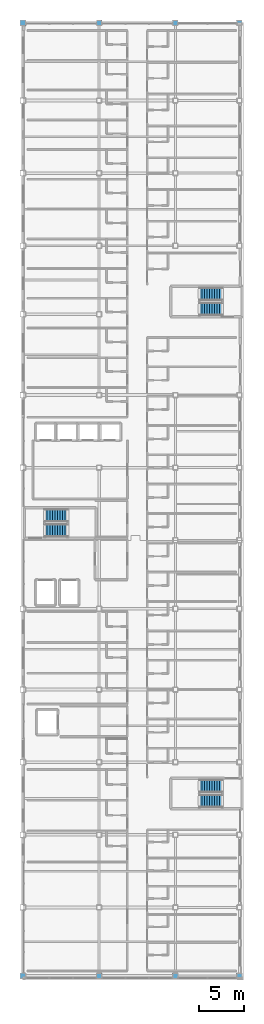
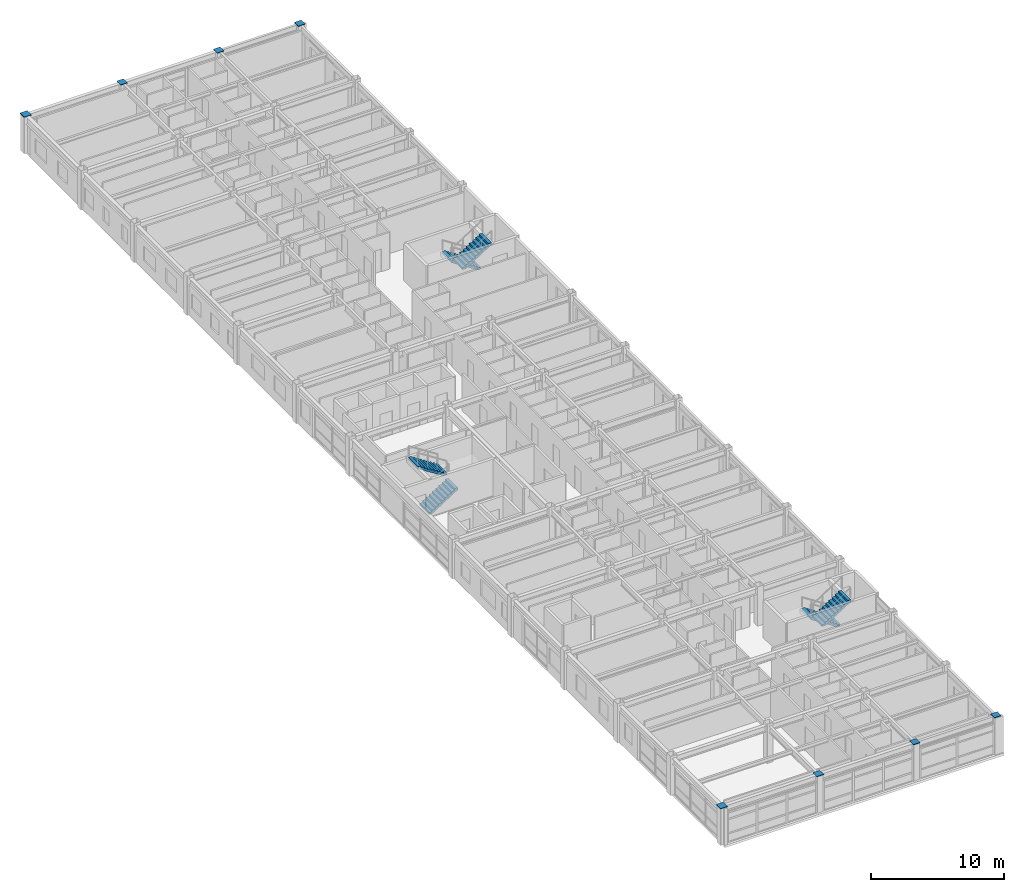
# One storey, part 34 of 36: 8 discrete accessories, 6 stair flights, 3 elements without a shape of their own.
"""IFC4 building model written with IfcOpenShell, lengths in metres."""

from ifc_helpers import new_model, si_unit, direction, frame, origin, origin_2d, place, context, subcontext, project, spatial, polyline, rectangle, outline, extrude, material, layer, layer_set, type_object, element, aggregate, save


model = new_model("IFC4")

# Units and contexts
model_context = context("Model", 3, precision=1e-05, world=origin(), true_north=direction((0.0, 1.0)))
body_context = subcontext(model_context, "Body", "Model", "MODEL_VIEW")
ifc_project = project(units=[si_unit("LENGTHUNIT", "METRE"), si_unit("AREAUNIT", "SQUARE_METRE"), si_unit("VOLUMEUNIT", "CUBIC_METRE"), si_unit("PLANEANGLEUNIT", "RADIAN"), si_unit("MASSUNIT", "GRAM", prefix="KILO")], contexts=[model_context])

# Site, building, storey
site_placement = place(None, origin())
site = spatial("IfcSite", under=ifc_project, at=site_placement, CompositionType="ELEMENT")
building_placement = place(site_placement, origin())
building = spatial("IfcBuilding", under=site, at=building_placement, Name="Kazehara Bluff Congress Hotel", CompositionType="ELEMENT")
storey_placement = place(building_placement, frame((0.0, 0.0, 28.199951171875)))
storey = spatial("IfcBuildingStorey", under=building, at=storey_placement, Name="L06", CompositionType="ELEMENT", Elevation=28.199951171875)

# Stair, stair flights
ifc_material_1 = material(Name="Concrete C36/45", Category="concrete")
stair_type = type_object("IfcStairType", Name="TP-ST-T03", PredefinedType="HALF_TURN_STAIR", material=ifc_material_1)
stair_1_placement = place(storey_placement, origin())
stair_1 = element("IfcStair", 1, at=stair_1_placement, inside=storey, type_object=stair_type, Name="L06 Escape stair ST-10", PredefinedType="HALF_TURN_STAIR")
ifc_material_2 = material(Name="Concrete C36/45", Category="concrete")
stair_flight_type = type_object("IfcStairFlightType", Name="TP-SF-T03", PredefinedType="STRAIGHT", material=ifc_material_2)
stair_flight_1_placement = place(storey_placement, frame((165.64990234375, 21.375, 0.0), z_axis=(0.0, 0.0, 1.0), x_axis=(-1.0, 0.0, 0.0)))
stair_flight_1 = element("IfcStairFlight", 2, at=stair_flight_1_placement, type_object=stair_flight_type, Name="ST-10 flight 1", NumberOfRisers=10, NumberOfTreads=9, PredefinedType="STRAIGHT", RiserHeight=0.18, TreadLength=0.28, context=body_context, shape_type="SweptSolid", body=[
    extrude(outline(polyline([(0.0, 0.0), (0.0, 0.179931640625), (0.280029296875, 0.179931640625), (0.280029296875, 0.360107421875), (0.56005859375, 0.360107421875), (0.56005859375, 0.5400390625), (0.840087890625, 0.5400390625), (0.840087890625, 0.719970703125), (1.1201171875, 0.719970703125), (1.1201171875, 0.89990234375), (1.39990234375, 0.89990234375), (1.39990234375, 1.080078125), (1.679931640625, 1.080078125), (1.679931640625, 1.260009765625), (1.9599609375, 1.260009765625), (1.9599609375, 1.43994140625), (2.239990234375, 1.43994140625), (2.239990234375, 1.6201171875), (2.52001953125, 1.6201171875), (2.52001953125, 1.800048828125), (2.52001953125, 1.429931640625), (0.295654296875, 0.0), (0.0, 0.0)])), frame((0.0, 0.72509765625, 0.0), z_axis=(0.0, -1.0, 0.0), x_axis=(1.0, 0.0, 0.0)), (0.0, 0.0, 1.0), 1.449951171875),
])
stair_flight_2_placement = place(storey_placement, frame((163.1298828125, 19.72509765625, 1.800048828125), z_axis=(0.0, 0.0, 1.0), x_axis=(1.0, 0.0, 0.0)))
stair_flight_2 = element("IfcStairFlight", 3, at=stair_flight_2_placement, type_object=stair_flight_type, Name="ST-10 flight 2", NumberOfRisers=10, NumberOfTreads=9, PredefinedType="STRAIGHT", RiserHeight=0.18, TreadLength=0.28, context=body_context, shape_type="SweptSolid", body=[
    extrude(outline(polyline([(0.0, 0.0), (0.0, 0.179931640625), (0.280029296875, 0.179931640625), (0.280029296875, 0.360107421875), (0.56005859375, 0.360107421875), (0.56005859375, 0.5400390625), (0.840087890625, 0.5400390625), (0.840087890625, 0.719970703125), (1.1201171875, 0.719970703125), (1.1201171875, 0.89990234375), (1.39990234375, 0.89990234375), (1.39990234375, 1.080078125), (1.679931640625, 1.080078125), (1.679931640625, 1.260009765625), (1.9599609375, 1.260009765625), (1.9599609375, 1.43994140625), (2.239990234375, 1.43994140625), (2.239990234375, 1.6201171875), (2.52001953125, 1.6201171875), (2.52001953125, 1.800048828125), (2.52001953125, 1.429931640625), (0.295654296875, 0.0), (0.0, 0.0)])), frame((0.0, 0.72509765625, 0.0), z_axis=(0.0, -1.0, 0.0), x_axis=(1.0, 0.0, 0.0)), (0.0, 0.0, 1.0), 1.449951171875),
])
aggregate(stair_1, [stair_flight_1, stair_flight_2])

stair_2_placement = place(storey_placement, origin())
stair_2 = element("IfcStair", 4, at=stair_2_placement, inside=storey, type_object=stair_type, Name="L06 Escape stair ST-11", PredefinedType="HALF_TURN_STAIR")
stair_flight_3_placement = place(storey_placement, frame((146.10009765625, 49.52490234375, 0.0), z_axis=(0.0, 0.0, 1.0), x_axis=(1.0, 0.0, 0.0)))
stair_flight_3 = element("IfcStairFlight", 5, at=stair_flight_3_placement, type_object=stair_flight_type, Name="ST-11 flight 1", NumberOfRisers=10, NumberOfTreads=9, PredefinedType="STRAIGHT", RiserHeight=0.18, TreadLength=0.28, context=body_context, shape_type="SweptSolid", body=[
    extrude(outline(polyline([(0.0, 0.0), (0.0, 0.179931640625), (0.280029296875, 0.179931640625), (0.280029296875, 0.360107421875), (0.56005859375, 0.360107421875), (0.56005859375, 0.5400390625), (0.840087890625, 0.5400390625), (0.840087890625, 0.719970703125), (1.1201171875, 0.719970703125), (1.1201171875, 0.89990234375), (1.39990234375, 0.89990234375), (1.39990234375, 1.080078125), (1.679931640625, 1.080078125), (1.679931640625, 1.260009765625), (1.9599609375, 1.260009765625), (1.9599609375, 1.43994140625), (2.239990234375, 1.43994140625), (2.239990234375, 1.6201171875), (2.52001953125, 1.6201171875), (2.52001953125, 1.800048828125), (2.52001953125, 1.429931640625), (0.295654296875, 0.0), (0.0, 0.0)])), frame((0.0, 0.72509765625, 0.0), z_axis=(0.0, -1.0, 0.0), x_axis=(1.0, 0.0, 0.0)), (0.0, 0.0, 1.0), 1.449951171875),
])
stair_flight_4_placement = place(storey_placement, frame((148.6201171875, 51.175048828125, 1.800048828125), z_axis=(0.0, 0.0, 1.0), x_axis=(-1.0, 0.0, 0.0)))
stair_flight_4 = element("IfcStairFlight", 6, at=stair_flight_4_placement, type_object=stair_flight_type, Name="ST-11 flight 2", NumberOfRisers=10, NumberOfTreads=9, PredefinedType="STRAIGHT", RiserHeight=0.18, TreadLength=0.28, context=body_context, shape_type="SweptSolid", body=[
    extrude(outline(polyline([(0.0, 0.0), (0.0, 0.179931640625), (0.280029296875, 0.179931640625), (0.280029296875, 0.360107421875), (0.56005859375, 0.360107421875), (0.56005859375, 0.5400390625), (0.840087890625, 0.5400390625), (0.840087890625, 0.719970703125), (1.1201171875, 0.719970703125), (1.1201171875, 0.89990234375), (1.39990234375, 0.89990234375), (1.39990234375, 1.080078125), (1.679931640625, 1.080078125), (1.679931640625, 1.260009765625), (1.9599609375, 1.260009765625), (1.9599609375, 1.43994140625), (2.239990234375, 1.43994140625), (2.239990234375, 1.6201171875), (2.52001953125, 1.6201171875), (2.52001953125, 1.800048828125), (2.52001953125, 1.429931640625), (0.295654296875, 0.0), (0.0, 0.0)])), frame((0.0, 0.72509765625, 0.0), z_axis=(0.0, -1.0, 0.0), x_axis=(1.0, 0.0, 0.0)), (0.0, 0.0, 1.0), 1.449951171875),
])
aggregate(stair_2, [stair_flight_3, stair_flight_4])

stair_3_placement = place(storey_placement, origin())
stair_3 = element("IfcStair", 7, at=stair_3_placement, inside=storey, type_object=stair_type, Name="L06 Escape stair ST-12", PredefinedType="HALF_TURN_STAIR")
stair_flight_5_placement = place(storey_placement, frame((165.64990234375, 75.574951171875, 0.0), z_axis=(0.0, 0.0, 1.0), x_axis=(-1.0, 0.0, 0.0)))
stair_flight_5 = element("IfcStairFlight", 8, at=stair_flight_5_placement, type_object=stair_flight_type, Name="ST-12 flight 1", NumberOfRisers=10, NumberOfTreads=9, PredefinedType="STRAIGHT", RiserHeight=0.18, TreadLength=0.28, context=body_context, shape_type="SweptSolid", body=[
    extrude(outline(polyline([(0.0, 0.0), (0.0, 0.179931640625), (0.280029296875, 0.179931640625), (0.280029296875, 0.360107421875), (0.56005859375, 0.360107421875), (0.56005859375, 0.5400390625), (0.840087890625, 0.5400390625), (0.840087890625, 0.719970703125), (1.1201171875, 0.719970703125), (1.1201171875, 0.89990234375), (1.39990234375, 0.89990234375), (1.39990234375, 1.080078125), (1.679931640625, 1.080078125), (1.679931640625, 1.260009765625), (1.9599609375, 1.260009765625), (1.9599609375, 1.43994140625), (2.239990234375, 1.43994140625), (2.239990234375, 1.6201171875), (2.52001953125, 1.6201171875), (2.52001953125, 1.800048828125), (2.52001953125, 1.429931640625), (0.295654296875, 0.0), (0.0, 0.0)])), frame((0.0, 0.72509765625, 0.0), z_axis=(0.0, -1.0, 0.0), x_axis=(1.0, 0.0, 0.0)), (0.0, 0.0, 1.0), 1.449951171875),
])
stair_flight_6_placement = place(storey_placement, frame((163.1298828125, 73.925048828125, 1.800048828125), z_axis=(0.0, 0.0, 1.0), x_axis=(1.0, 0.0, 0.0)))
stair_flight_6 = element("IfcStairFlight", 9, at=stair_flight_6_placement, type_object=stair_flight_type, Name="ST-12 flight 2", NumberOfRisers=10, NumberOfTreads=9, PredefinedType="STRAIGHT", RiserHeight=0.18, TreadLength=0.28, context=body_context, shape_type="SweptSolid", body=[
    extrude(outline(polyline([(0.0, 0.0), (0.0, 0.179931640625), (0.280029296875, 0.179931640625), (0.280029296875, 0.360107421875), (0.56005859375, 0.360107421875), (0.56005859375, 0.5400390625), (0.840087890625, 0.5400390625), (0.840087890625, 0.719970703125), (1.1201171875, 0.719970703125), (1.1201171875, 0.89990234375), (1.39990234375, 0.89990234375), (1.39990234375, 1.080078125), (1.679931640625, 1.080078125), (1.679931640625, 1.260009765625), (1.9599609375, 1.260009765625), (1.9599609375, 1.43994140625), (2.239990234375, 1.43994140625), (2.239990234375, 1.6201171875), (2.52001953125, 1.6201171875), (2.52001953125, 1.800048828125), (2.52001953125, 1.429931640625), (0.295654296875, 0.0), (0.0, 0.0)])), frame((0.0, 0.72509765625, 0.0), z_axis=(0.0, -1.0, 0.0), x_axis=(1.0, 0.0, 0.0)), (0.0, 0.0, 1.0), 1.449951171875),
])
aggregate(stair_3, [stair_flight_5, stair_flight_6])

# Discrete accessories
ifc_material_3 = material(Name="Steel SN490B", Category="steel")
ifc_layer = layer(ifc_material_3, 0.06005859375)
ifc_layer_set = layer_set([ifc_layer], Name="Steel SN490B")
discrete_accessory_type = type_object("IfcDiscreteAccessoryType", Name="TP-CAP-BLK", PredefinedType="BRACKET", material=ifc_layer_set)
for number, where, z_axis, x_axis, name in (
    (10, (143.699951171875, 0.449951171875, 3.35009765625), (0.0, 0.0, 1.0), (1.0, 0.0, 0.0), "Hollow column welded cap plate L06 1223"),
    (11, (143.699951171875, 105.449951171875, 3.35009765625), (0.0, 0.0, 1.0), (1.0, 0.0, 0.0), "Hollow column welded cap plate L06 1235"),
):
    element("IfcDiscreteAccessory", number, at=place(storey_placement, frame(where, z_axis=z_axis, x_axis=x_axis)), inside=storey, type_object=discrete_accessory_type, Name=name, PredefinedType="BRACKET", context=body_context, shape_type="SweptSolid", body=[
        extrude(rectangle(XDim=0.639892578125, YDim=0.639892578125, at=origin_2d()), origin(), (0.0, 0.0, 1.0), 0.06005859375),
    ])
for number, where, z_axis, x_axis, name in (
    (12, (152.10009765625, 0.449951171875, 3.35009765625), (0.0, 0.0, 1.0), (1.0, 0.0, 0.0), "Hollow column welded cap plate L06 1236"),
    (13, (152.10009765625, 105.449951171875, 3.35009765625), (0.0, 0.0, 1.0), (1.0, 0.0, 0.0), "Hollow column welded cap plate L06 1248"),
    (14, (160.5, 0.449951171875, 3.35009765625), (0.0, 0.0, 1.0), (1.0, 0.0, 0.0), "Hollow column welded cap plate L06 1249"),
    (15, (160.5, 105.449951171875, 3.35009765625), (0.0, 0.0, 1.0), (1.0, 0.0, 0.0), "Hollow column welded cap plate L06 1261"),
    (16, (167.550048828125, 0.449951171875, 3.35009765625), (0.0, 0.0, 1.0), (1.0, 0.0, 0.0), "Hollow column welded cap plate L06 1262"),
    (17, (167.550048828125, 105.449951171875, 3.35009765625), (0.0, 0.0, 1.0), (1.0, 0.0, 0.0), "Hollow column welded cap plate L06 1274"),
):
    element("IfcDiscreteAccessory", number, at=place(storey_placement, frame(where, z_axis=z_axis, x_axis=x_axis)), inside=storey, type_object=discrete_accessory_type, Name=name, PredefinedType="BRACKET", context=body_context, shape_type="SweptSolid", body=[
        extrude(rectangle(XDim=0.590087890625, YDim=0.590087890625, at=origin_2d()), origin(), (0.0, 0.0, 1.0), 0.06005859375),
    ])

save(model, "model.ifc")
